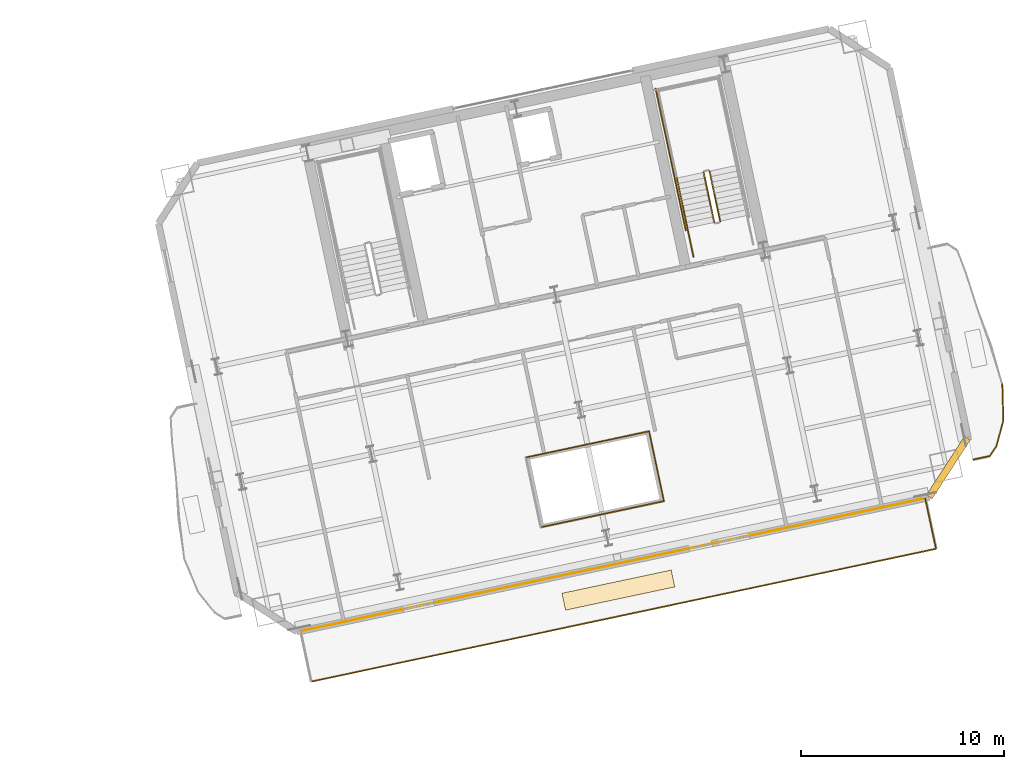
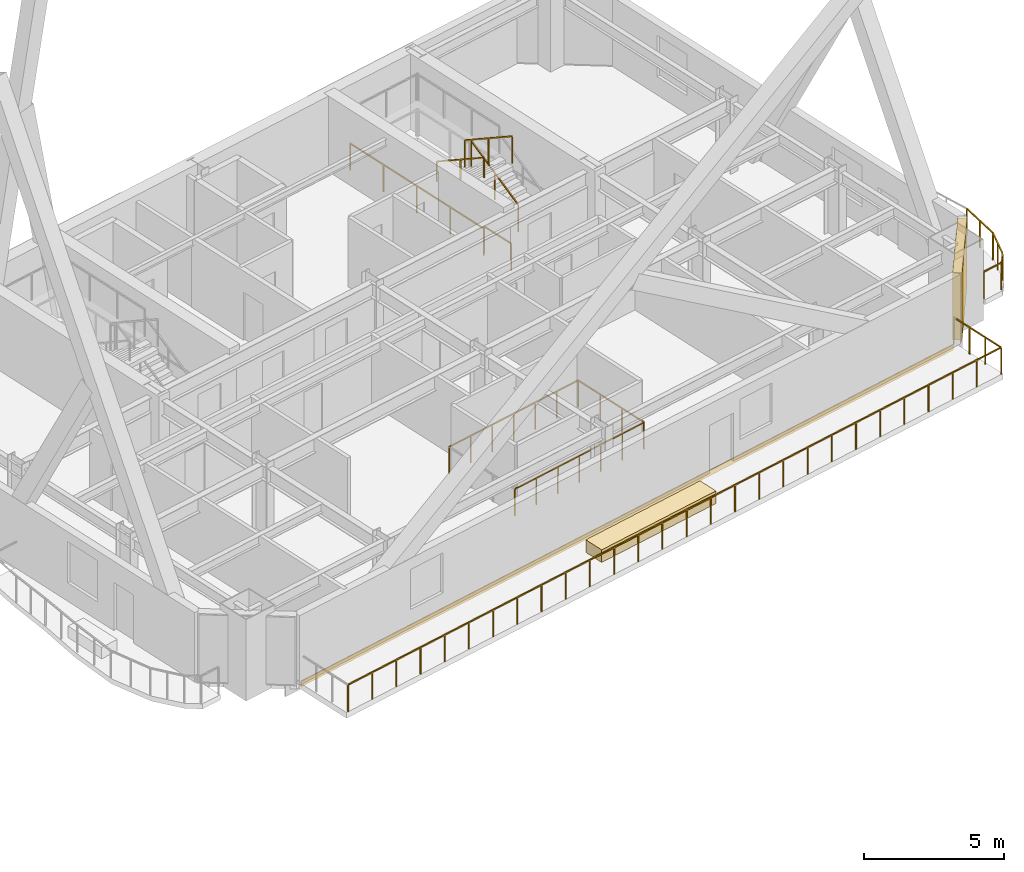
# One storey, part 21 of 22: 14 railings, 2 coverings, 1 shading device.
"""IFC4 building model written with IfcOpenShell, lengths in metres."""

from ifc_helpers import new_model, si_unit, direction, frame, origin, origin_2d, place, context, subcontext, project, spatial, rectangle, extrude, material, layer, layer_set, type_object, element, save


model = new_model("IFC4")

# Units and contexts
model_context = context("Model", 3, precision=1e-05, world=origin(), true_north=direction((0.0, 1.0)))
body_context = subcontext(model_context, "Body", "Model", "MODEL_VIEW")
ifc_project = project(units=[si_unit("LENGTHUNIT", "METRE"), si_unit("AREAUNIT", "SQUARE_METRE"), si_unit("VOLUMEUNIT", "CUBIC_METRE"), si_unit("PLANEANGLEUNIT", "RADIAN"), si_unit("MASSUNIT", "GRAM", prefix="KILO")], contexts=[model_context])

# Site, building, storey
site_placement = place(None, origin())
site = spatial("IfcSite", under=ifc_project, at=site_placement, CompositionType="ELEMENT")
building_placement = place(site_placement, origin())
building = spatial("IfcBuilding", under=site, at=building_placement, Name="Haevon Station Towers", CompositionType="ELEMENT")
storey_placement = place(building_placement, frame((0.0, 0.0, 113.10009765625)))
storey = spatial("IfcBuildingStorey", under=building, at=storey_placement, Name="L30", CompositionType="ELEMENT", Elevation=113.10009765625)

# Railings
ifc_material_1 = material(Name="Steel S355", Category="steel")
railing_type_1 = type_object("IfcRailingType", Name="BAL-ATR1200", PredefinedType="BALUSTRADE", material=ifc_material_1)
railing_1_placement = place(storey_placement, frame((108.28564453125, 28.16259765625, 0.0)))
element("IfcRailing", 1, at=railing_1_placement, inside=storey, type_object=railing_type_1, Name="L30 Atrium Void Balustrade 1", PredefinedType="BALUSTRADE", context=body_context, shape_type="SweptSolid", body=[
    extrude(rectangle(XDim=0.048095703125, YDim=0.048095703125, at=origin_2d()), frame((0.0, 0.0, 1.17578125), z_axis=(0.978152054879, 0.207890734609, 0.0), x_axis=(-0.207890734609, 0.978152054879, 0.0)), (0.0, 0.0, 1.0), 6.208984375),
    extrude(rectangle(XDim=0.0419921875, YDim=0.0419921875, at=origin_2d()), origin(), (0.0, 0.0, 1.0), 1.15185546875),
    extrude(rectangle(XDim=0.0419921875, YDim=0.0419921875, at=origin_2d()), frame((1.01220703125, 0.215087890625, 0.0)), (0.0, 0.0, 1.0), 1.15185546875),
    extrude(rectangle(XDim=0.0419921875, YDim=0.0419921875, at=origin_2d()), frame((2.0244140625, 0.43017578125, 0.0)), (0.0, 0.0, 1.0), 1.15185546875),
    extrude(rectangle(XDim=0.0419921875, YDim=0.0419921875, at=origin_2d()), frame((3.03662109375, 0.6455078125, 0.0)), (0.0, 0.0, 1.0), 1.15185546875),
    extrude(rectangle(XDim=0.0419921875, YDim=0.0419921875, at=origin_2d()), frame((4.048828125, 0.860595703125, 0.0)), (0.0, 0.0, 1.0), 1.15185546875),
    extrude(rectangle(XDim=0.0419921875, YDim=0.0419921875, at=origin_2d()), frame((5.06103515625, 1.07568359375, 0.0)), (0.0, 0.0, 1.0), 1.15185546875),
    extrude(rectangle(XDim=0.0419921875, YDim=0.0419921875, at=origin_2d()), frame((6.0732421875, 1.290771484375, 0.0)), (0.0, 0.0, 1.0), 1.15185546875),
])
railing_2_placement = place(storey_placement, frame((114.35888671875, 29.453369140625, 0.0)))
element("IfcRailing", 2, at=railing_2_placement, inside=storey, type_object=railing_type_1, Name="L30 Atrium Void Balustrade 2", PredefinedType="BALUSTRADE", context=body_context, shape_type="SweptSolid", body=[
    extrude(rectangle(XDim=0.048095703125, YDim=0.048095703125, at=origin_2d()), frame((0.0, 0.0, 1.17578125), z_axis=(-0.207964983384, 0.978136271532, 0.0), x_axis=(-0.978136271532, -0.207964983384, 0.0)), (0.0, 0.0, 1.0), 3.518310546875),
    extrude(rectangle(XDim=0.0419921875, YDim=0.0419921875, at=origin_2d()), origin(), (0.0, 0.0, 1.0), 1.15185546875),
    extrude(rectangle(XDim=0.0419921875, YDim=0.0419921875, at=origin_2d()), frame((-0.243896484375, 1.147216796875, 0.0)), (0.0, 0.0, 1.0), 1.15185546875),
    extrude(rectangle(XDim=0.0419921875, YDim=0.0419921875, at=origin_2d()), frame((-0.48779296875, 2.294189453125, 0.0)), (0.0, 0.0, 1.0), 1.15185546875),
    extrude(rectangle(XDim=0.0419921875, YDim=0.0419921875, at=origin_2d()), frame((-0.731689453125, 3.44140625, 0.0)), (0.0, 0.0, 1.0), 1.15185546875),
])
railing_3_placement = place(storey_placement, frame((113.627197265625, 32.894775390625, 0.0)))
element("IfcRailing", 3, at=railing_3_placement, inside=storey, type_object=railing_type_1, Name="L30 Atrium Void Balustrade 3", PredefinedType="BALUSTRADE", context=body_context, shape_type="SweptSolid", body=[
    extrude(rectangle(XDim=0.048095703125, YDim=0.048095703125, at=origin_2d()), frame((0.0, 0.0, 1.17578125), z_axis=(-0.978150355379, -0.20789873081, 0.0), x_axis=(0.20789873081, -0.978150355379, 0.0)), (0.0, 0.0, 1.0), 6.208740234375),
    extrude(rectangle(XDim=0.0419921875, YDim=0.0419921875, at=origin_2d()), origin(), (0.0, 0.0, 1.0), 1.15185546875),
    extrude(rectangle(XDim=0.0419921875, YDim=0.0419921875, at=origin_2d()), frame((-1.01220703125, -0.215087890625, 0.0)), (0.0, 0.0, 1.0), 1.15185546875),
    extrude(rectangle(XDim=0.0419921875, YDim=0.0419921875, at=origin_2d()), frame((-2.0244140625, -0.43017578125, 0.0)), (0.0, 0.0, 1.0), 1.15185546875),
    extrude(rectangle(XDim=0.0419921875, YDim=0.0419921875, at=origin_2d()), frame((-3.03662109375, -0.6455078125, 0.0)), (0.0, 0.0, 1.0), 1.15185546875),
    extrude(rectangle(XDim=0.0419921875, YDim=0.0419921875, at=origin_2d()), frame((-4.048583984375, -0.860595703125, 0.0)), (0.0, 0.0, 1.0), 1.15185546875),
    extrude(rectangle(XDim=0.0419921875, YDim=0.0419921875, at=origin_2d()), frame((-5.060791015625, -1.07568359375, 0.0)), (0.0, 0.0, 1.0), 1.15185546875),
    extrude(rectangle(XDim=0.0419921875, YDim=0.0419921875, at=origin_2d()), frame((-6.072998046875, -1.290771484375, 0.0)), (0.0, 0.0, 1.0), 1.15185546875),
])

# Covering
ifc_material_2 = material(Name="Anodised aluminium 6063-T6", Category="aluminium")
ifc_layer_1 = layer(ifc_material_2, 0.0400390625)
ifc_layer_set_1 = layer_set([ifc_layer_1], Name="Anodised aluminium 6063-T6")
covering_type_1 = type_object("IfcCoveringType", Name="COV-CLAD40", PredefinedType="CLADDING", material=ifc_layer_set_1)
covering_1_placement = place(storey_placement, frame((111.8505859375, 26.32275390625, -0.240234375), z_axis=(0.0, 0.0, 1.0), x_axis=(0.978147600734, 0.207911690818, 0.0)))
element("IfcCovering", 4, at=covering_1_placement, inside=storey, type_object=covering_type_1, Name="Tower 2 L30 Spandrel Fascia Cladding", PredefinedType="CLADDING", context=body_context, shape_type="SweptSolid", body=[
    extrude(rectangle(XDim=31.39990234375, YDim=0.0400390625, at=origin_2d()), origin(), (0.0, 0.0, 1.0), 0.239990234375),
])

# Railings
railing_type_2 = type_object("IfcRailingType", Name="GRD-EXT1200", PredefinedType="GUARDRAIL", material=ifc_material_1)
railing_4_placement = place(storey_placement, frame((97.002685546875, 20.566162109375, 0.0)))
element("IfcRailing", 5, at=railing_4_placement, inside=storey, type_object=railing_type_2, Name="L30 Perimeter Guardrail 1", PredefinedType="GUARDRAIL", context=body_context, shape_type="SweptSolid", body=[
    extrude(rectangle(XDim=0.048095703125, YDim=0.048095703125, at=origin_2d()), frame((0.0, 0.0, 1.17578125), z_axis=(0.978147442573, 0.207912434902, 0.0), x_axis=(-0.207912434902, 0.978147442573, 0.0)), (0.0, 0.0, 1.0), 31.4404296875),
    extrude(rectangle(XDim=0.0419921875, YDim=0.0419921875, at=origin_2d()), origin(), (0.0, 0.0, 1.0), 1.15185546875),
    extrude(rectangle(XDim=0.0419921875, YDim=0.0419921875, at=origin_2d()), frame((1.138916015625, 0.2421875, 0.0)), (0.0, 0.0, 1.0), 1.15185546875),
    extrude(rectangle(XDim=0.0419921875, YDim=0.0419921875, at=origin_2d()), frame((2.278076171875, 0.484130859375, 0.0)), (0.0, 0.0, 1.0), 1.15185546875),
    extrude(rectangle(XDim=0.0419921875, YDim=0.0419921875, at=origin_2d()), frame((3.4169921875, 0.726318359375, 0.0)), (0.0, 0.0, 1.0), 1.15185546875),
    extrude(rectangle(XDim=0.0419921875, YDim=0.0419921875, at=origin_2d()), frame((4.55615234375, 0.968505859375, 0.0)), (0.0, 0.0, 1.0), 1.15185546875),
    extrude(rectangle(XDim=0.0419921875, YDim=0.0419921875, at=origin_2d()), frame((5.695068359375, 1.21044921875, 0.0)), (0.0, 0.0, 1.0), 1.15185546875),
    extrude(rectangle(XDim=0.0419921875, YDim=0.0419921875, at=origin_2d()), frame((6.833984375, 1.45263671875, 0.0)), (0.0, 0.0, 1.0), 1.15185546875),
    extrude(rectangle(XDim=0.0419921875, YDim=0.0419921875, at=origin_2d()), frame((7.97314453125, 1.69482421875, 0.0)), (0.0, 0.0, 1.0), 1.15185546875),
    extrude(rectangle(XDim=0.0419921875, YDim=0.0419921875, at=origin_2d()), frame((9.112060546875, 1.936767578125, 0.0)), (0.0, 0.0, 1.0), 1.15185546875),
    extrude(rectangle(XDim=0.0419921875, YDim=0.0419921875, at=origin_2d()), frame((10.251220703125, 2.178955078125, 0.0)), (0.0, 0.0, 1.0), 1.15185546875),
    extrude(rectangle(XDim=0.0419921875, YDim=0.0419921875, at=origin_2d()), frame((11.39013671875, 2.421142578125, 0.0)), (0.0, 0.0, 1.0), 1.15185546875),
    extrude(rectangle(XDim=0.0419921875, YDim=0.0419921875, at=origin_2d()), frame((12.529052734375, 2.6630859375, 0.0)), (0.0, 0.0, 1.0), 1.15185546875),
    extrude(rectangle(XDim=0.0419921875, YDim=0.0419921875, at=origin_2d()), frame((13.668212890625, 2.9052734375, 0.0)), (0.0, 0.0, 1.0), 1.15185546875),
    extrude(rectangle(XDim=0.0419921875, YDim=0.0419921875, at=origin_2d()), frame((14.80712890625, 3.1474609375, 0.0)), (0.0, 0.0, 1.0), 1.15185546875),
    extrude(rectangle(XDim=0.0419921875, YDim=0.0419921875, at=origin_2d()), frame((15.9462890625, 3.389404296875, 0.0)), (0.0, 0.0, 1.0), 1.15185546875),
    extrude(rectangle(XDim=0.0419921875, YDim=0.0419921875, at=origin_2d()), frame((17.085205078125, 3.631591796875, 0.0)), (0.0, 0.0, 1.0), 1.15185546875),
    extrude(rectangle(XDim=0.0419921875, YDim=0.0419921875, at=origin_2d()), frame((18.224365234375, 3.873779296875, 0.0)), (0.0, 0.0, 1.0), 1.15185546875),
    extrude(rectangle(XDim=0.0419921875, YDim=0.0419921875, at=origin_2d()), frame((19.36328125, 4.11572265625, 0.0)), (0.0, 0.0, 1.0), 1.15185546875),
    extrude(rectangle(XDim=0.0419921875, YDim=0.0419921875, at=origin_2d()), frame((20.502197265625, 4.35791015625, 0.0)), (0.0, 0.0, 1.0), 1.15185546875),
    extrude(rectangle(XDim=0.0419921875, YDim=0.0419921875, at=origin_2d()), frame((21.641357421875, 4.60009765625, 0.0)), (0.0, 0.0, 1.0), 1.15185546875),
    extrude(rectangle(XDim=0.0419921875, YDim=0.0419921875, at=origin_2d()), frame((22.7802734375, 4.842041015625, 0.0)), (0.0, 0.0, 1.0), 1.15185546875),
    extrude(rectangle(XDim=0.0419921875, YDim=0.0419921875, at=origin_2d()), frame((23.91943359375, 5.084228515625, 0.0)), (0.0, 0.0, 1.0), 1.15185546875),
    extrude(rectangle(XDim=0.0419921875, YDim=0.0419921875, at=origin_2d()), frame((25.058349609375, 5.326416015625, 0.0)), (0.0, 0.0, 1.0), 1.15185546875),
    extrude(rectangle(XDim=0.0419921875, YDim=0.0419921875, at=origin_2d()), frame((26.197265625, 5.568359375, 0.0)), (0.0, 0.0, 1.0), 1.15185546875),
    extrude(rectangle(XDim=0.0419921875, YDim=0.0419921875, at=origin_2d()), frame((27.33642578125, 5.810546875, 0.0)), (0.0, 0.0, 1.0), 1.15185546875),
    extrude(rectangle(XDim=0.0419921875, YDim=0.0419921875, at=origin_2d()), frame((28.475341796875, 6.052734375, 0.0)), (0.0, 0.0, 1.0), 1.15185546875),
    extrude(rectangle(XDim=0.0419921875, YDim=0.0419921875, at=origin_2d()), frame((29.614501953125, 6.294677734375, 0.0)), (0.0, 0.0, 1.0), 1.15185546875),
    extrude(rectangle(XDim=0.0419921875, YDim=0.0419921875, at=origin_2d()), frame((30.75341796875, 6.536865234375, 0.0)), (0.0, 0.0, 1.0), 1.15185546875),
])
railing_5_placement = place(storey_placement, frame((127.756103515625, 27.10302734375, 0.0)))
element("IfcRailing", 6, at=railing_5_placement, inside=storey, type_object=railing_type_2, Name="L30 Perimeter Guardrail 2", PredefinedType="GUARDRAIL", context=body_context, shape_type="SweptSolid", body=[
    extrude(rectangle(XDim=0.048095703125, YDim=0.048095703125, at=origin_2d()), frame((0.0, 0.0, 1.17578125), z_axis=(-0.207968301241, 0.978135566105, 0.0), x_axis=(-0.978135566105, -0.207968301241, 0.0)), (0.0, 0.0, 1.0), 2.5322265625),
    extrude(rectangle(XDim=0.0419921875, YDim=0.0419921875, at=origin_2d()), origin(), (0.0, 0.0, 1.0), 1.15185546875),
    extrude(rectangle(XDim=0.0419921875, YDim=0.0419921875, at=origin_2d()), frame((-0.175537109375, 0.82568359375, 0.0)), (0.0, 0.0, 1.0), 1.15185546875),
    extrude(rectangle(XDim=0.0419921875, YDim=0.0419921875, at=origin_2d()), frame((-0.35107421875, 1.651123046875, 0.0)), (0.0, 0.0, 1.0), 1.15185546875),
    extrude(rectangle(XDim=0.0419921875, YDim=0.0419921875, at=origin_2d()), frame((-0.526611328125, 2.476806640625, 0.0)), (0.0, 0.0, 1.0), 1.15185546875),
])
railing_6_placement = place(storey_placement, frame((129.5849609375, 31.5009765625, 0.0)))
element("IfcRailing", 7, at=railing_6_placement, inside=storey, type_object=railing_type_2, Name="L30 Perimeter Guardrail 1", PredefinedType="GUARDRAIL", context=body_context, shape_type="SweptSolid", body=[
    extrude(rectangle(XDim=0.048095703125, YDim=0.048095703125, at=origin_2d()), frame((0.0, 0.0, 1.17578125), z_axis=(0.977678572445, 0.210106185017, 0.0), x_axis=(-0.210106185017, 0.977678572445, 0.0)), (0.0, 0.0, 1.0), 0.837890625),
    extrude(rectangle(XDim=0.0419921875, YDim=0.0419921875, at=origin_2d()), origin(), (0.0, 0.0, 1.0), 1.15185546875),
    extrude(rectangle(XDim=0.0419921875, YDim=0.0419921875, at=origin_2d()), frame((0.819091796875, 0.176025390625, 0.0)), (0.0, 0.0, 1.0), 1.15185546875),
])
railing_7_placement = place(storey_placement, frame((130.404052734375, 31.677001953125, 0.0)))
element("IfcRailing", 8, at=railing_7_placement, inside=storey, type_object=railing_type_2, Name="L30 Perimeter Guardrail 2", PredefinedType="GUARDRAIL", context=body_context, shape_type="SweptSolid", body=[
    extrude(rectangle(XDim=0.048095703125, YDim=0.048095703125, at=origin_2d()), frame((0.0, 0.0, 1.17578125), z_axis=(0.562635738377, 0.826704920695, 0.0), x_axis=(-0.826704920695, 0.562635738377, 0.0)), (0.0, 0.0, 1.0), 0.594482421875),
    extrude(rectangle(XDim=0.0419921875, YDim=0.0419921875, at=origin_2d()), origin(), (0.0, 0.0, 1.0), 1.15185546875),
    extrude(rectangle(XDim=0.0419921875, YDim=0.0419921875, at=origin_2d()), frame((0.33447265625, 0.491455078125, 0.0)), (0.0, 0.0, 1.0), 1.15185546875),
])
railing_8_placement = place(storey_placement, frame((130.738525390625, 32.16845703125, 0.0)))
element("IfcRailing", 9, at=railing_8_placement, inside=storey, type_object=railing_type_2, Name="L30 Perimeter Guardrail 3", PredefinedType="GUARDRAIL", context=body_context, shape_type="SweptSolid", body=[
    extrude(rectangle(XDim=0.048095703125, YDim=0.048095703125, at=origin_2d()), frame((0.0, 0.0, 1.17578125), z_axis=(0.257569982747, 0.966259646259, 0.0), x_axis=(-0.966259646259, 0.257569982747, 0.0)), (0.0, 0.0, 1.0), 1.311767578125),
    extrude(rectangle(XDim=0.0419921875, YDim=0.0419921875, at=origin_2d()), origin(), (0.0, 0.0, 1.0), 1.15185546875),
    extrude(rectangle(XDim=0.0419921875, YDim=0.0419921875, at=origin_2d()), frame((0.1689453125, 0.6337890625, 0.0)), (0.0, 0.0, 1.0), 1.15185546875),
    extrude(rectangle(XDim=0.0419921875, YDim=0.0419921875, at=origin_2d()), frame((0.337890625, 1.267578125, 0.0)), (0.0, 0.0, 1.0), 1.15185546875),
])
railing_9_placement = place(storey_placement, frame((131.076416015625, 33.43603515625, 0.0)))
element("IfcRailing", 10, at=railing_9_placement, inside=storey, type_object=railing_type_2, Name="L30 Perimeter Guardrail 4", PredefinedType="GUARDRAIL", context=body_context, shape_type="SweptSolid", body=[
    extrude(rectangle(XDim=0.048095703125, YDim=0.048095703125, at=origin_2d()), frame((0.0, 0.0, 1.17578125), z_axis=(-0.029031117034, 0.999578508294, 0.0), x_axis=(-0.999578508294, -0.029031117034, 0.0)), (0.0, 0.0, 1.0), 1.7744140625),
    extrude(rectangle(XDim=0.0419921875, YDim=0.0419921875, at=origin_2d()), origin(), (0.0, 0.0, 1.0), 1.15185546875),
    extrude(rectangle(XDim=0.0419921875, YDim=0.0419921875, at=origin_2d()), frame((-0.02587890625, 0.88671875, 0.0)), (0.0, 0.0, 1.0), 1.15185546875),
    extrude(rectangle(XDim=0.0419921875, YDim=0.0419921875, at=origin_2d()), frame((-0.051513671875, 1.773681640625, 0.0)), (0.0, 0.0, 1.0), 1.15185546875),
])
railing_type_3 = type_object("IfcRailingType", Name="GRD-STR1200", PredefinedType="GUARDRAIL", material=ifc_material_1)
railing_10_placement = place(storey_placement, frame((117.128662109375, 43.23974609375, 0.164794921875)))
element("IfcRailing", 11, at=railing_10_placement, inside=storey, type_object=railing_type_3, Name="L30 ST4 Stair Guard 1", PredefinedType="GUARDRAIL", context=body_context, shape_type="SweptSolid", body=[
    extrude(rectangle(XDim=0.048095703125, YDim=0.048095703125, at=origin_2d()), frame((0.0, 0.0, 1.17578125), z_axis=(-0.179121265225, 0.842687928106, 0.507732831485), x_axis=(-0.978147030254, -0.207914374695, 0.0)), (0.0, 0.0, 1.0), 2.925048828125),
    extrude(rectangle(XDim=0.0419921875, YDim=0.0419921875, at=origin_2d()), origin(), (0.0, 0.0, 1.0), 1.15185546875),
    extrude(rectangle(XDim=0.0419921875, YDim=0.0419921875, at=origin_2d()), frame((-0.261962890625, 1.232421875, 0.74267578125)), (0.0, 0.0, 1.0), 1.15185546875),
    extrude(rectangle(XDim=0.0419921875, YDim=0.0419921875, at=origin_2d()), frame((-0.52392578125, 2.46484375, 1.485107421875)), (0.0, 0.0, 1.0), 1.15185546875),
])
railing_11_placement = place(storey_placement, frame((116.311279296875, 45.642333984375, 1.81494140625)))
element("IfcRailing", 12, at=railing_11_placement, inside=storey, type_object=railing_type_3, Name="L30 ST4 Stair Guard 6", PredefinedType="GUARDRAIL", context=body_context, shape_type="SweptSolid", body=[
    extrude(rectangle(XDim=0.048095703125, YDim=0.048095703125, at=origin_2d()), frame((0.0, 0.0, 1.17578125), z_axis=(0.179116256339, -0.842747828638, 0.507635168246), x_axis=(0.978151217824, 0.207894673017, 0.0)), (0.0, 0.0, 1.0), 2.925048828125),
    extrude(rectangle(XDim=0.0419921875, YDim=0.0419921875, at=origin_2d()), origin(), (0.0, 0.0, 1.0), 1.15185546875),
    extrude(rectangle(XDim=0.0419921875, YDim=0.0419921875, at=origin_2d()), frame((0.261962890625, -1.232421875, 0.742431640625)), (0.0, 0.0, 1.0), 1.15185546875),
    extrude(rectangle(XDim=0.0419921875, YDim=0.0419921875, at=origin_2d()), frame((0.52392578125, -2.465087890625, 1.48486328125)), (0.0, 0.0, 1.0), 1.15185546875),
])
railing_12_placement = place(storey_placement, frame((115.816162109375, 41.478271484375, 0.0)))
element("IfcRailing", 13, at=railing_12_placement, inside=storey, type_object=railing_type_3, Name="L30 ST4 Stair Guard 9", PredefinedType="GUARDRAIL", context=body_context, shape_type="SweptSolid", body=[
    extrude(rectangle(XDim=0.048095703125, YDim=0.048095703125, at=origin_2d()), frame((0.0, 0.0, 1.17578125), z_axis=(-0.207919161079, 0.978146012851, 0.0), x_axis=(-0.978146012851, -0.207919161079, 0.0)), (0.0, 0.0, 1.0), 1.4501953125),
    extrude(rectangle(XDim=0.0419921875, YDim=0.0419921875, at=origin_2d()), origin(), (0.0, 0.0, 1.0), 1.15185546875),
    extrude(rectangle(XDim=0.0419921875, YDim=0.0419921875, at=origin_2d()), frame((-0.301513671875, 1.41845703125, 0.0)), (0.0, 0.0, 1.0), 1.15185546875),
])
railing_13_placement = place(storey_placement, frame((115.4375, 42.778076171875, 0.0)))
element("IfcRailing", 14, at=railing_13_placement, inside=storey, type_object=railing_type_3, Name="L30 ST4 Stair Guard 11", PredefinedType="GUARDRAIL", context=body_context, shape_type="SweptSolid", body=[
    extrude(rectangle(XDim=0.048095703125, YDim=0.048095703125, at=origin_2d()), frame((0.0, 0.0, 1.17578125), z_axis=(-0.207882442208, 0.978153817261, 0.0), x_axis=(-0.978153817261, -0.207882442208, 0.0)), (0.0, 0.0, 1.0), 7.14990234375),
    extrude(rectangle(XDim=0.0419921875, YDim=0.0419921875, at=origin_2d()), origin(), (0.0, 0.0, 1.0), 1.15185546875),
    extrude(rectangle(XDim=0.0419921875, YDim=0.0419921875, at=origin_2d()), frame((-0.37158203125, 1.74853515625, 0.0)), (0.0, 0.0, 1.0), 1.15185546875),
    extrude(rectangle(XDim=0.0419921875, YDim=0.0419921875, at=origin_2d()), frame((-0.7431640625, 3.496826171875, 0.0)), (0.0, 0.0, 1.0), 1.15185546875),
    extrude(rectangle(XDim=0.0419921875, YDim=0.0419921875, at=origin_2d()), frame((-1.11474609375, 5.2451171875, 0.0)), (0.0, 0.0, 1.0), 1.15185546875),
    extrude(rectangle(XDim=0.0419921875, YDim=0.0419921875, at=origin_2d()), frame((-1.486328125, 6.99365234375, 0.0)), (0.0, 0.0, 1.0), 1.15185546875),
])
railing_type_4 = type_object("IfcRailingType", Name="HND-STR900", PredefinedType="HANDRAIL", material=ifc_material_1)
railing_14_placement = place(storey_placement, frame((114.99072265625, 45.361572265625, 1.81494140625)))
element("IfcRailing", 15, at=railing_14_placement, inside=storey, type_object=railing_type_4, Name="L30 ST4 Stair Handrail 2", PredefinedType="HANDRAIL", context=body_context, shape_type="SweptSolid", body=[
    extrude(rectangle(XDim=0.048095703125, YDim=0.048095703125, at=origin_2d()), frame((0.0, 0.0, 0.8759765625), z_axis=(0.179128856099, -0.842723639875, 0.507670877349), x_axis=(0.978147030254, 0.207914374695, 0.0)), (0.0, 0.0, 1.0), 2.9248046875),
    extrude(rectangle(XDim=0.0419921875, YDim=0.0419921875, at=origin_2d()), origin(), (0.0, 0.0, 1.0), 0.851806640625),
    extrude(rectangle(XDim=0.0419921875, YDim=0.0419921875, at=origin_2d()), frame((0.261962890625, -1.232421875, 0.742431640625)), (0.0, 0.0, 1.0), 0.851806640625),
    extrude(rectangle(XDim=0.0419921875, YDim=0.0419921875, at=origin_2d()), frame((0.52392578125, -2.46484375, 1.48486328125)), (0.0, 0.0, 1.0), 0.851806640625),
])

# Covering
ifc_material_3 = material(Name="Architectural planter GRC", Category="concrete")
ifc_layer_2 = layer(ifc_material_3, 0.550048828125)
ifc_layer_set_2 = layer_set([ifc_layer_2], Name="Architectural planter GRC")
covering_type_2 = type_object("IfcCoveringType", Name="PLN-GRC550", PredefinedType="MOLDING", material=ifc_layer_set_2)
covering_2_placement = place(storey_placement, frame((112.1162109375, 25.072998046875, 0.0), z_axis=(0.0, 0.0, 1.0), x_axis=(0.978147600734, 0.207911690818, 0.0)))
element("IfcCovering", 16, at=covering_2_placement, inside=storey, type_object=covering_type_2, Name="Tower 2 L30 Sky-Garden GRC PLANTER", PredefinedType="MOLDING", context=body_context, shape_type="SweptSolid", body=[
    extrude(rectangle(XDim=5.5, YDim=0.85009765625, at=origin_2d()), origin(), (0.0, 0.0, 1.0), 0.550048828125),
])

# Shading device
ifc_layer_3 = layer(ifc_material_2, 0.139892578125)
ifc_layer_set_3 = layer_set([ifc_layer_3], Name="Anodised aluminium 6063-T6")
shading_device_type = type_object("IfcShadingDeviceType", Name="SHD-WIND-BAFFLE", PredefinedType="SHUTTER", material=ifc_layer_set_3)
shading_device_placement = place(storey_placement, frame((128.36572265625, 31.111083984375, 0.0498046875), z_axis=(0.0, 0.0, 1.0), x_axis=(-0.544638910449, -0.838670648839, 0.0)))
element("IfcShadingDevice", 17, at=shading_device_placement, inside=storey, type_object=shading_device_type, Name="Tower 2 L30 Wind-Corner Aerofoil Baffle SEC", PredefinedType="SHUTTER", context=body_context, shape_type="SweptSolid", body=[
    extrude(rectangle(XDim=3.435546875, YDim=0.340087890625, at=origin_2d()), origin(), (0.0, 0.0, 1.0), 2.929931640625),
])

save(model, "model.ifc")
